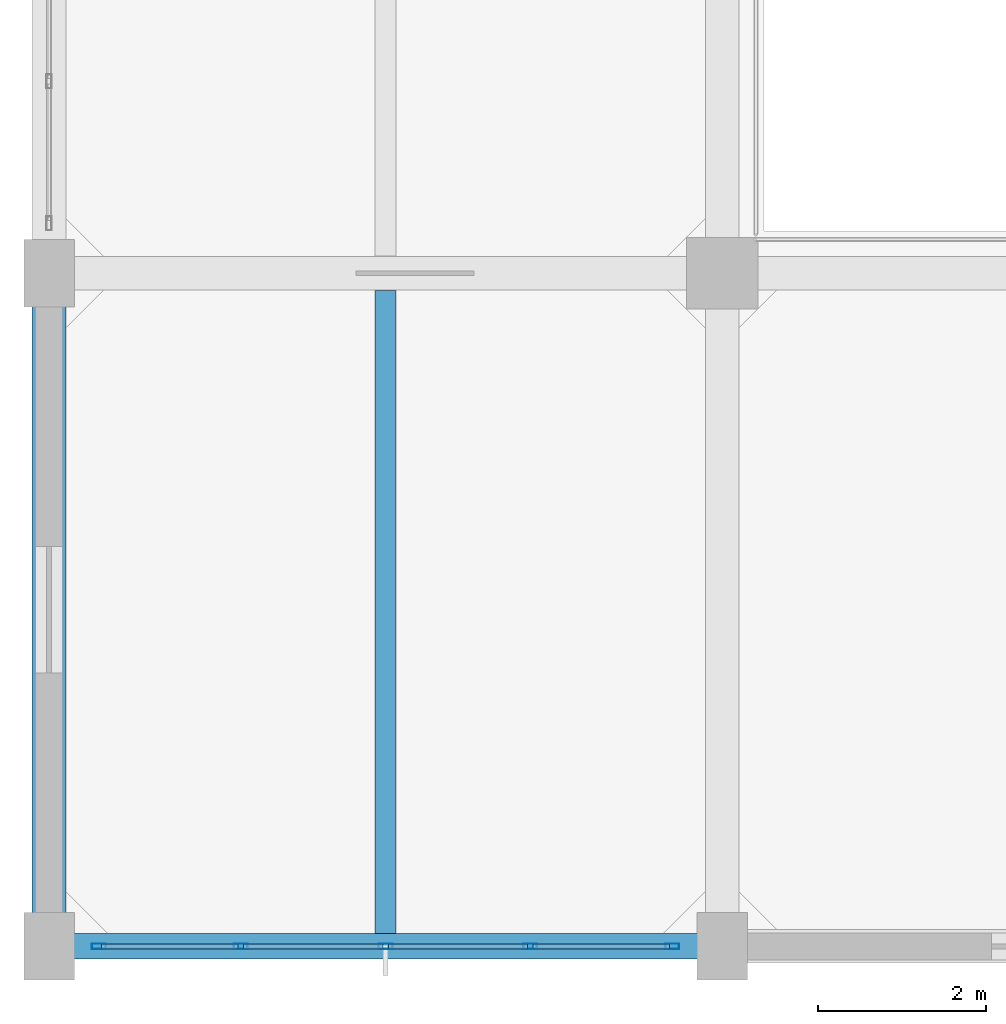
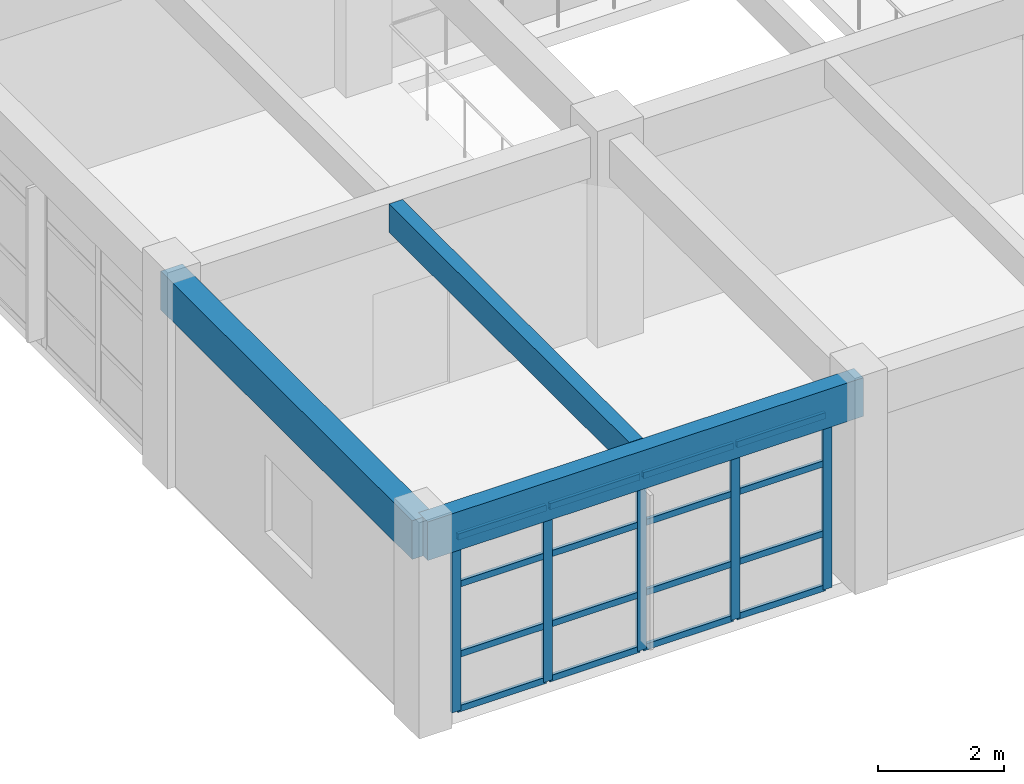
# One storey, part 2 of 30: 21 members, 3 beams, 1 element without a shape of its own.
"""IFC4 building model written with IfcOpenShell, lengths in metres."""

from ifc_helpers import new_model, si_unit, direction, frame, origin, origin_2d, place, context, subcontext, project, spatial, rectangle, hollow_rectangle, extrude, material, layer, layer_set, material_profile, profile_set, type_object, element, aggregate, save


model = new_model("IFC4")

# Units and contexts
model_context = context("Model", 3, precision=1e-05, world=origin(), true_north=direction((0.0, 1.0)))
body_context = subcontext(model_context, "Body", "Model", "MODEL_VIEW")
ifc_project = project(units=[si_unit("LENGTHUNIT", "METRE"), si_unit("AREAUNIT", "SQUARE_METRE"), si_unit("VOLUMEUNIT", "CUBIC_METRE"), si_unit("PLANEANGLEUNIT", "RADIAN"), si_unit("MASSUNIT", "GRAM", prefix="KILO")], contexts=[model_context])

# Site, building, storey
site_placement = place(None, origin())
site = spatial("IfcSite", under=ifc_project, at=site_placement, CompositionType="ELEMENT")
building_placement = place(site_placement, origin())
building = spatial("IfcBuilding", under=site, at=building_placement, Name="Canggui Botanical Conservatory", CompositionType="ELEMENT")
storey_placement = place(building_placement, frame((0.0, 0.0, 19.199951171875)))
storey = spatial("IfcBuildingStorey", under=building, at=storey_placement, Name="L05", CompositionType="ELEMENT", Elevation=19.199951171875)

# Beams
ifc_material_1 = material(Name="Concrete C35", Category="concrete")
ifc_material_profile_1 = material_profile(ifc_material_1, rectangle(XDim=0.25, YDim=0.550048828125, at=origin_2d()), Name="RB 250x550")
ifc_profile_set_1 = profile_set([ifc_material_profile_1], Name="Concrete C35")
beam_type_1 = type_object("IfcBeamType", Name="BM-JST03", PredefinedType="JOIST", material=ifc_profile_set_1)
beam_1_placement = place(storey_placement, frame((142.0, 26.155029296875, 3.68505859375), z_axis=(0.0, 1.0, 0.0), x_axis=(-1.0, 0.0, 0.0)))
element("IfcBeam", 1, at=beam_1_placement, inside=storey, type_object=beam_type_1, Name="Secondary Floor Joist L05-1-1", PredefinedType="JOIST", context=body_context, shape_type="SweptSolid", body=[
    extrude(rectangle(XDim=0.25, YDim=0.550048828125, at=origin_2d()), origin(), (0.0, 0.0, 1.0), 7.639892578125),
])
ifc_material_profile_2 = material_profile(ifc_material_1, rectangle(XDim=0.39990234375, YDim=0.75, at=origin_2d()), Name="RB 400x750")
ifc_profile_set_2 = profile_set([ifc_material_profile_2], Name="Concrete C35")
beam_type_2 = type_object("IfcBeamType", Name="BM-KL10", PredefinedType="BEAM", material=ifc_profile_set_2)
beam_2_placement = place(storey_placement, frame((138.0, 26.0, 3.5849609375), z_axis=(0.0, 1.0, 0.0), x_axis=(-1.0, 0.0, 0.0)))
element("IfcBeam", 2, at=beam_2_placement, inside=storey, type_object=beam_type_2, Name="Frame Girder L05 X138-1", PredefinedType="BEAM", context=body_context, shape_type="SweptSolid", body=[
    extrude(rectangle(XDim=0.39990234375, YDim=0.75, at=origin_2d()), origin(), (0.0, 0.0, 1.0), 8.0),
])
ifc_material_profile_3 = material_profile(ifc_material_1, rectangle(XDim=0.300048828125, YDim=0.75, at=origin_2d()), Name="RB 300x750")
ifc_profile_set_3 = profile_set([ifc_material_profile_3], Name="Concrete C35")
beam_type_3 = type_object("IfcBeamType", Name="BM-SPD01", PredefinedType="SPANDREL", material=ifc_profile_set_3)
beam_3_placement = place(storey_placement, frame((138.0, 26.0, 3.5849609375), z_axis=(1.0, 0.0, 0.0), x_axis=(0.0, 1.0, 0.0)))
element("IfcBeam", 3, at=beam_3_placement, inside=storey, type_object=beam_type_3, Name="Frame Girder L05 Y26-1", PredefinedType="SPANDREL", context=body_context, shape_type="SweptSolid", body=[
    extrude(rectangle(XDim=0.300048828125, YDim=0.75, at=origin_2d()), origin(), (0.0, 0.0, 1.0), 8.0),
])

# Curtain wall, members
ifc_material_2 = material(Name="Thermally Broken Aluminium", Category="aluminium")
ifc_layer = layer(ifc_material_2, 0.1650390625, Name="Thermally Broken Aluminium", Category="aluminium")
ifc_layer_set = layer_set([ifc_layer], Name="Thermally Broken Aluminium")
curtain_wall_type = type_object("IfcCurtainWallType", Name="CW-UNIT-B", PredefinedType="USERDEFINED", material=ifc_layer_set)
curtain_wall_placement = place(storey_placement, origin())
curtain_wall = element("IfcCurtainWall", 4, at=curtain_wall_placement, inside=storey, type_object=curtain_wall_type, Name="Facade Curtain Wall CW-TWR-L05-05", ObjectType="UNITISED CURTAIN WALL", PredefinedType="USERDEFINED")
ifc_material_profile_4 = material_profile(ifc_material_2, hollow_rectangle(XDim=0.06494140625, YDim=0.1650390625, WallThickness=0.00390625, at=origin_2d()), Name="CWM 65x165x4")
ifc_profile_set_4 = profile_set([ifc_material_profile_4], Name="Thermally Broken Aluminium")
member_type_1 = type_object("IfcMemberType", Name="CWM-02", PredefinedType="MULLION", material=ifc_profile_set_4)
member_1_placement = place(storey_placement, frame((145.407470703125, 26.0, 0.0), z_axis=(0.0, 0.0, 1.0), x_axis=(0.0, -1.0, 0.0)))
member_1 = element("IfcMember", 5, at=member_1_placement, type_object=member_type_1, Name="CW-02 mullion 1", PredefinedType="MULLION", context=body_context, shape_type="SweptSolid", body=[
    extrude(hollow_rectangle(XDim=0.06494140625, YDim=0.1650390625, WallThickness=0.00390625, at=origin_2d()), origin(), (0.0, 0.0, 1.0), 3.400146484375),
])
member_2_placement = place(storey_placement, frame((143.719970703125, 26.0, 0.0), z_axis=(0.0, 0.0, 1.0), x_axis=(0.0, -1.0, 0.0)))
member_2 = element("IfcMember", 6, at=member_2_placement, type_object=member_type_1, Name="CW-02 mullion 2", PredefinedType="MULLION", context=body_context, shape_type="SweptSolid", body=[
    extrude(hollow_rectangle(XDim=0.06494140625, YDim=0.1650390625, WallThickness=0.00390625, at=origin_2d()), origin(), (0.0, 0.0, 1.0), 3.400146484375),
])
member_3_placement = place(storey_placement, frame((142.0, 26.0, 0.0), z_axis=(0.0, 0.0, 1.0), x_axis=(0.0, -1.0, 0.0)))
member_3 = element("IfcMember", 7, at=member_3_placement, type_object=member_type_1, Name="CW-02 mullion 3", PredefinedType="MULLION", context=body_context, shape_type="SweptSolid", body=[
    extrude(hollow_rectangle(XDim=0.06494140625, YDim=0.1650390625, WallThickness=0.00390625, at=origin_2d()), origin(), (0.0, 0.0, 1.0), 3.400146484375),
])
member_4_placement = place(storey_placement, frame((140.280029296875, 26.0, 0.0), z_axis=(0.0, 0.0, 1.0), x_axis=(0.0, -1.0, 0.0)))
member_4 = element("IfcMember", 8, at=member_4_placement, type_object=member_type_1, Name="CW-02 mullion 4", PredefinedType="MULLION", context=body_context, shape_type="SweptSolid", body=[
    extrude(hollow_rectangle(XDim=0.06494140625, YDim=0.1650390625, WallThickness=0.00390625, at=origin_2d()), origin(), (0.0, 0.0, 1.0), 3.400146484375),
])
member_5_placement = place(storey_placement, frame((138.592529296875, 26.0, 0.0), z_axis=(0.0, 0.0, 1.0), x_axis=(0.0, -1.0, 0.0)))
member_5 = element("IfcMember", 9, at=member_5_placement, type_object=member_type_1, Name="CW-02 mullion 5", PredefinedType="MULLION", context=body_context, shape_type="SweptSolid", body=[
    extrude(hollow_rectangle(XDim=0.06494140625, YDim=0.1650390625, WallThickness=0.00390625, at=origin_2d()), origin(), (0.0, 0.0, 1.0), 3.400146484375),
])
ifc_material_profile_5 = material_profile(ifc_material_2, hollow_rectangle(XDim=0.06005859375, YDim=0.1201171875, WallThickness=0.00341796875, at=origin_2d()), Name="CWT 60x120x3.5")
ifc_profile_set_5 = profile_set([ifc_material_profile_5], Name="Thermally Broken Aluminium")
member_type_2 = type_object("IfcMemberType", Name="CWT-02", PredefinedType="USERDEFINED", material=ifc_profile_set_5)
member_6_placement = place(storey_placement, frame((145.375, 26.0, 0.030029296875), z_axis=(-1.0, 0.0, 0.0), x_axis=(0.0, -1.0, 0.0)))
member_6 = element("IfcMember", 10, at=member_6_placement, type_object=member_type_2, Name="CW-02 transom 1.1", ObjectType="TRANSOM", PredefinedType="USERDEFINED", context=body_context, shape_type="SweptSolid", body=[
    extrude(hollow_rectangle(XDim=0.06005859375, YDim=0.1201171875, WallThickness=0.00341796875, at=origin_2d()), origin(), (0.0, 0.0, 1.0), 1.62255859375),
])
member_7_placement = place(storey_placement, frame((145.375, 26.0, 1.088134765625), z_axis=(-1.0, 0.0, 0.0), x_axis=(0.0, -1.0, 0.0)))
member_7 = element("IfcMember", 11, at=member_7_placement, type_object=member_type_2, Name="CW-02 transom 1.2", ObjectType="TRANSOM", PredefinedType="USERDEFINED", context=body_context, shape_type="SweptSolid", body=[
    extrude(hollow_rectangle(XDim=0.06005859375, YDim=0.1201171875, WallThickness=0.00341796875, at=origin_2d()), origin(), (0.0, 0.0, 1.0), 1.62255859375),
])
member_8_placement = place(storey_placement, frame((145.375, 26.0, 2.447998046875), z_axis=(-1.0, 0.0, 0.0), x_axis=(0.0, -1.0, 0.0)))
member_8 = element("IfcMember", 12, at=member_8_placement, type_object=member_type_2, Name="CW-02 transom 1.3", ObjectType="TRANSOM", PredefinedType="USERDEFINED", context=body_context, shape_type="SweptSolid", body=[
    extrude(hollow_rectangle(XDim=0.06005859375, YDim=0.1201171875, WallThickness=0.00341796875, at=origin_2d()), origin(), (0.0, 0.0, 1.0), 1.62255859375),
])
member_9_placement = place(storey_placement, frame((145.375, 26.0, 3.3701171875), z_axis=(-1.0, 0.0, 0.0), x_axis=(0.0, -1.0, 0.0)))
member_9 = element("IfcMember", 13, at=member_9_placement, type_object=member_type_2, Name="CW-02 transom 1.4", ObjectType="TRANSOM", PredefinedType="USERDEFINED", context=body_context, shape_type="SweptSolid", body=[
    extrude(hollow_rectangle(XDim=0.06005859375, YDim=0.1201171875, WallThickness=0.00341796875, at=origin_2d()), origin(), (0.0, 0.0, 1.0), 1.62255859375),
])
member_10_placement = place(storey_placement, frame((143.6875, 26.0, 0.030029296875), z_axis=(-1.0, 0.0, 0.0), x_axis=(0.0, -1.0, 0.0)))
member_10 = element("IfcMember", 14, at=member_10_placement, type_object=member_type_2, Name="CW-02 transom 2.1", ObjectType="TRANSOM", PredefinedType="USERDEFINED", context=body_context, shape_type="SweptSolid", body=[
    extrude(hollow_rectangle(XDim=0.06005859375, YDim=0.1201171875, WallThickness=0.00341796875, at=origin_2d()), origin(), (0.0, 0.0, 1.0), 1.655029296875),
])
member_11_placement = place(storey_placement, frame((143.6875, 26.0, 1.088134765625), z_axis=(-1.0, 0.0, 0.0), x_axis=(0.0, -1.0, 0.0)))
member_11 = element("IfcMember", 15, at=member_11_placement, type_object=member_type_2, Name="CW-02 transom 2.2", ObjectType="TRANSOM", PredefinedType="USERDEFINED", context=body_context, shape_type="SweptSolid", body=[
    extrude(hollow_rectangle(XDim=0.06005859375, YDim=0.1201171875, WallThickness=0.00341796875, at=origin_2d()), origin(), (0.0, 0.0, 1.0), 1.655029296875),
])
member_12_placement = place(storey_placement, frame((143.6875, 26.0, 2.447998046875), z_axis=(-1.0, 0.0, 0.0), x_axis=(0.0, -1.0, 0.0)))
member_12 = element("IfcMember", 16, at=member_12_placement, type_object=member_type_2, Name="CW-02 transom 2.3", ObjectType="TRANSOM", PredefinedType="USERDEFINED", context=body_context, shape_type="SweptSolid", body=[
    extrude(hollow_rectangle(XDim=0.06005859375, YDim=0.1201171875, WallThickness=0.00341796875, at=origin_2d()), origin(), (0.0, 0.0, 1.0), 1.655029296875),
])
member_13_placement = place(storey_placement, frame((143.6875, 26.0, 3.3701171875), z_axis=(-1.0, 0.0, 0.0), x_axis=(0.0, -1.0, 0.0)))
member_13 = element("IfcMember", 17, at=member_13_placement, type_object=member_type_2, Name="CW-02 transom 2.4", ObjectType="TRANSOM", PredefinedType="USERDEFINED", context=body_context, shape_type="SweptSolid", body=[
    extrude(hollow_rectangle(XDim=0.06005859375, YDim=0.1201171875, WallThickness=0.00341796875, at=origin_2d()), origin(), (0.0, 0.0, 1.0), 1.655029296875),
])
member_14_placement = place(storey_placement, frame((141.967529296875, 26.0, 0.030029296875), z_axis=(-1.0, 0.0, 0.0), x_axis=(0.0, -1.0, 0.0)))
member_14 = element("IfcMember", 18, at=member_14_placement, type_object=member_type_2, Name="CW-02 transom 3.1", ObjectType="TRANSOM", PredefinedType="USERDEFINED", context=body_context, shape_type="SweptSolid", body=[
    extrude(hollow_rectangle(XDim=0.06005859375, YDim=0.1201171875, WallThickness=0.00341796875, at=origin_2d()), origin(), (0.0, 0.0, 1.0), 1.655029296875),
])
member_15_placement = place(storey_placement, frame((141.967529296875, 26.0, 1.088134765625), z_axis=(-1.0, 0.0, 0.0), x_axis=(0.0, -1.0, 0.0)))
member_15 = element("IfcMember", 19, at=member_15_placement, type_object=member_type_2, Name="CW-02 transom 3.2", ObjectType="TRANSOM", PredefinedType="USERDEFINED", context=body_context, shape_type="SweptSolid", body=[
    extrude(hollow_rectangle(XDim=0.06005859375, YDim=0.1201171875, WallThickness=0.00341796875, at=origin_2d()), origin(), (0.0, 0.0, 1.0), 1.655029296875),
])
member_16_placement = place(storey_placement, frame((141.967529296875, 26.0, 2.447998046875), z_axis=(-1.0, 0.0, 0.0), x_axis=(0.0, -1.0, 0.0)))
member_16 = element("IfcMember", 20, at=member_16_placement, type_object=member_type_2, Name="CW-02 transom 3.3", ObjectType="TRANSOM", PredefinedType="USERDEFINED", context=body_context, shape_type="SweptSolid", body=[
    extrude(hollow_rectangle(XDim=0.06005859375, YDim=0.1201171875, WallThickness=0.00341796875, at=origin_2d()), origin(), (0.0, 0.0, 1.0), 1.655029296875),
])
member_17_placement = place(storey_placement, frame((141.967529296875, 26.0, 3.3701171875), z_axis=(-1.0, 0.0, 0.0), x_axis=(0.0, -1.0, 0.0)))
member_17 = element("IfcMember", 21, at=member_17_placement, type_object=member_type_2, Name="CW-02 transom 3.4", ObjectType="TRANSOM", PredefinedType="USERDEFINED", context=body_context, shape_type="SweptSolid", body=[
    extrude(hollow_rectangle(XDim=0.06005859375, YDim=0.1201171875, WallThickness=0.00341796875, at=origin_2d()), origin(), (0.0, 0.0, 1.0), 1.655029296875),
])
member_18_placement = place(storey_placement, frame((140.24755859375, 26.0, 0.030029296875), z_axis=(-1.0, 0.0, 0.0), x_axis=(0.0, -1.0, 0.0)))
member_18 = element("IfcMember", 22, at=member_18_placement, type_object=member_type_2, Name="CW-02 transom 4.1", ObjectType="TRANSOM", PredefinedType="USERDEFINED", context=body_context, shape_type="SweptSolid", body=[
    extrude(hollow_rectangle(XDim=0.06005859375, YDim=0.1201171875, WallThickness=0.00341796875, at=origin_2d()), origin(), (0.0, 0.0, 1.0), 1.62255859375),
])
member_19_placement = place(storey_placement, frame((140.24755859375, 26.0, 1.088134765625), z_axis=(-1.0, 0.0, 0.0), x_axis=(0.0, -1.0, 0.0)))
member_19 = element("IfcMember", 23, at=member_19_placement, type_object=member_type_2, Name="CW-02 transom 4.2", ObjectType="TRANSOM", PredefinedType="USERDEFINED", context=body_context, shape_type="SweptSolid", body=[
    extrude(hollow_rectangle(XDim=0.06005859375, YDim=0.1201171875, WallThickness=0.00341796875, at=origin_2d()), origin(), (0.0, 0.0, 1.0), 1.62255859375),
])
member_20_placement = place(storey_placement, frame((140.24755859375, 26.0, 2.447998046875), z_axis=(-1.0, 0.0, 0.0), x_axis=(0.0, -1.0, 0.0)))
member_20 = element("IfcMember", 24, at=member_20_placement, type_object=member_type_2, Name="CW-02 transom 4.3", ObjectType="TRANSOM", PredefinedType="USERDEFINED", context=body_context, shape_type="SweptSolid", body=[
    extrude(hollow_rectangle(XDim=0.06005859375, YDim=0.1201171875, WallThickness=0.00341796875, at=origin_2d()), origin(), (0.0, 0.0, 1.0), 1.62255859375),
])
member_21_placement = place(storey_placement, frame((140.24755859375, 26.0, 3.3701171875), z_axis=(-1.0, 0.0, 0.0), x_axis=(0.0, -1.0, 0.0)))
member_21 = element("IfcMember", 25, at=member_21_placement, type_object=member_type_2, Name="CW-02 transom 4.4", ObjectType="TRANSOM", PredefinedType="USERDEFINED", context=body_context, shape_type="SweptSolid", body=[
    extrude(hollow_rectangle(XDim=0.06005859375, YDim=0.1201171875, WallThickness=0.00341796875, at=origin_2d()), origin(), (0.0, 0.0, 1.0), 1.62255859375),
])
aggregate(curtain_wall, [member_1, member_2, member_3, member_4, member_5, member_6, member_7, member_8, member_9, member_10, member_11, member_12, member_13, member_14, member_15, member_16, member_17, member_18, member_19, member_20, member_21])

save(model, "model.ifc")
